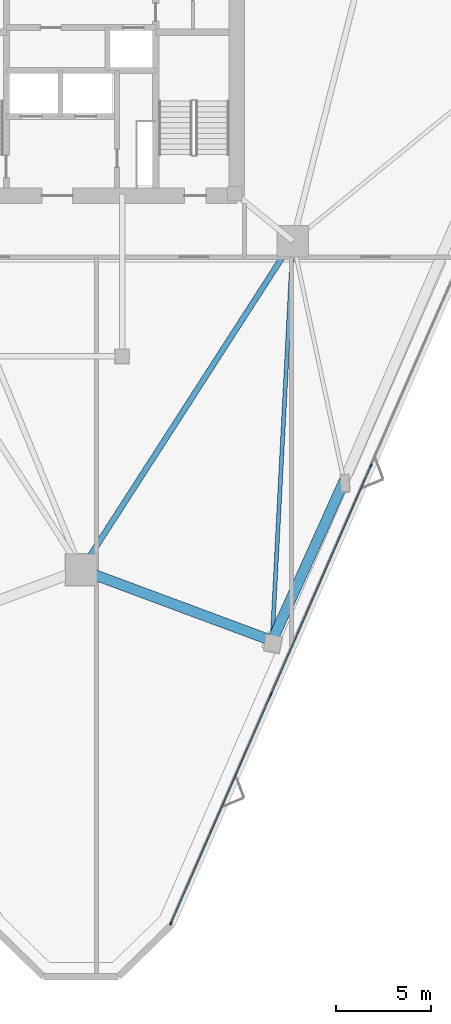
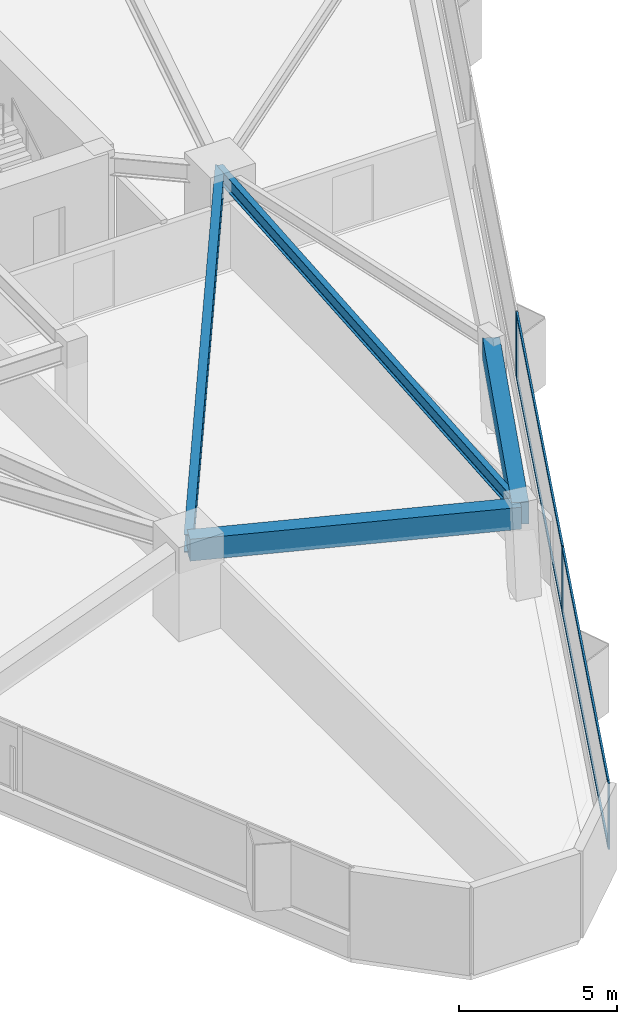
# One storey, part 4 of 18: 7 members, 4 beams, 1 element without a shape of its own.
"""IFC4 building model written with IfcOpenShell, lengths in metres."""

from ifc_helpers import new_model, si_unit, direction, frame, origin, origin_2d, place, context, subcontext, project, spatial, rectangle, i_section, extrude, material, layer, layer_set, material_profile, profile_set, type_object, element, aggregate, save


model = new_model("IFC4")

# Units and contexts
model_context = context("Model", 3, precision=1e-05, world=origin(), true_north=direction((0.0, 1.0)))
body_context = subcontext(model_context, "Body", "Model", "MODEL_VIEW")
ifc_project = project(units=[si_unit("LENGTHUNIT", "METRE"), si_unit("AREAUNIT", "SQUARE_METRE"), si_unit("VOLUMEUNIT", "CUBIC_METRE"), si_unit("PLANEANGLEUNIT", "RADIAN"), si_unit("MASSUNIT", "GRAM", prefix="KILO")], contexts=[model_context])

# Site, building, storey
site_placement = place(None, origin())
site = spatial("IfcSite", under=ifc_project, at=site_placement, CompositionType="ELEMENT")
building_placement = place(site_placement, origin())
building = spatial("IfcBuilding", under=site, at=building_placement, Name="Talyreon Biosciences Tower", CompositionType="ELEMENT")
storey_placement = place(building_placement, frame((0.0, 0.0, 89.60009765625)))
storey = spatial("IfcBuildingStorey", under=building, at=storey_placement, Name="L23", CompositionType="ELEMENT", Elevation=89.60009765625)

# Curtain wall, members
ifc_material_1 = material(Name="Thermally broken aluminium and low-E glazing", Category="aluminium")
ifc_layer = layer(ifc_material_1, 0.18994140625)
ifc_layer_set = layer_set([ifc_layer], Name="Thermally broken aluminium and low-E glazing")
curtain_wall_type = type_object("IfcCurtainWallType", Name="CurtainWall_Zone2Genomics", PredefinedType="NOTDEFINED", material=ifc_layer_set)
curtain_wall_placement = place(storey_placement, origin())
curtain_wall = element("IfcCurtainWall", 1, at=curtain_wall_placement, inside=storey, type_object=curtain_wall_type, Name="L23 Unitised Curtain Wall FCW-L23-08", PredefinedType="NOTDEFINED")
ifc_material_2 = material(Name="Anodised thermally broken aluminium", Category="aluminium")
ifc_material_profile_1 = material_profile(ifc_material_2, rectangle(XDim=0.06494140625, YDim=0.179931640625, at=origin_2d()), Name="ALUM MULLION 65x180")
ifc_profile_set_1 = profile_set([ifc_material_profile_1], Name="Anodised thermally broken aluminium")
member_type_1 = type_object("IfcMemberType", Name="CWMullion_65x180", PredefinedType="MULLION", material=ifc_profile_set_1)
member_1_placement = place(storey_placement, frame((81.178955078125, 47.115234375, 0.809814453125), z_axis=(0.0, 0.0, 1.0), x_axis=(0.916278218967, -0.400542414041, 0.0)))
member_1 = element("IfcMember", 2, at=member_1_placement, type_object=member_type_1, Name="CW3 mullion 4", PredefinedType="MULLION", context=body_context, shape_type="SweptSolid", body=[
    extrude(rectangle(XDim=0.06494140625, YDim=0.179931640625, at=origin_2d()), origin(), (0.0, 0.0, 1.0), 2.565185546875),
])
member_2_placement = place(storey_placement, frame((75.93505859375, 35.119384765625, 0.809814453125), z_axis=(0.0, 0.0, 1.0), x_axis=(0.916278218967, -0.400542414041, 0.0)))
member_2 = element("IfcMember", 3, at=member_2_placement, type_object=member_type_1, Name="CW3 mullion 5", PredefinedType="MULLION", context=body_context, shape_type="SweptSolid", body=[
    extrude(rectangle(XDim=0.06494140625, YDim=0.179931640625, at=origin_2d()), origin(), (0.0, 0.0, 1.0), 2.565185546875),
])
member_3_placement = place(storey_placement, frame((70.704345703125, 23.1533203125, 0.809814453125), z_axis=(0.0, 0.0, 1.0), x_axis=(0.916278218967, -0.400542414041, 0.0)))
member_3 = element("IfcMember", 4, at=member_3_placement, type_object=member_type_1, Name="CW3 mullion 6", PredefinedType="MULLION", context=body_context, shape_type="SweptSolid", body=[
    extrude(rectangle(XDim=0.06494140625, YDim=0.179931640625, at=origin_2d()), origin(), (0.0, 0.0, 1.0), 2.565185546875),
])
ifc_material_profile_2 = material_profile(ifc_material_2, rectangle(XDim=0.06494140625, YDim=0.139892578125, at=origin_2d()), Name="ALUM TRANSOM 65x140")
ifc_profile_set_2 = profile_set([ifc_material_profile_2], Name="Anodised thermally broken aluminium")
member_type_2 = type_object("IfcMemberType", Name="CWTransom_65x140", PredefinedType="USERDEFINED", material=ifc_profile_set_2)
member_4_placement = place(storey_placement, frame((81.166015625, 47.08544921875, 0.84228515625), z_axis=(-0.400538617789, -0.916279878454, 0.0), x_axis=(0.916279878454, -0.400538617789, 0.0)))
member_4 = element("IfcMember", 5, at=member_4_placement, type_object=member_type_2, Name="CW3 transom 4.1", ObjectType="TRANSOM", PredefinedType="USERDEFINED", context=body_context, shape_type="SweptSolid", body=[
    extrude(rectangle(XDim=0.06494140625, YDim=0.139892578125, at=origin_2d()), origin(), (0.0, 0.0, 1.0), 13.02685546875),
])
member_5_placement = place(storey_placement, frame((81.166015625, 47.08544921875, 3.34228515625), z_axis=(-0.400538617789, -0.916279878454, 0.0), x_axis=(0.916279878454, -0.400538617789, 0.0)))
member_5 = element("IfcMember", 6, at=member_5_placement, type_object=member_type_2, Name="CW3 transom 4.2", ObjectType="TRANSOM", PredefinedType="USERDEFINED", context=body_context, shape_type="SweptSolid", body=[
    extrude(rectangle(XDim=0.06494140625, YDim=0.139892578125, at=origin_2d()), origin(), (0.0, 0.0, 1.0), 13.02685546875),
])
member_6_placement = place(storey_placement, frame((75.922119140625, 35.089599609375, 0.84228515625), z_axis=(-0.400543831876, -0.916277599173, 0.0), x_axis=(0.916277599173, -0.400543831876, 0.0)))
member_6 = element("IfcMember", 7, at=member_6_placement, type_object=member_type_2, Name="CW3 transom 5.1", ObjectType="TRANSOM", PredefinedType="USERDEFINED", context=body_context, shape_type="SweptSolid", body=[
    extrude(rectangle(XDim=0.06494140625, YDim=0.139892578125, at=origin_2d()), origin(), (0.0, 0.0, 1.0), 12.994384765625),
])
member_7_placement = place(storey_placement, frame((75.922119140625, 35.089599609375, 3.34228515625), z_axis=(-0.400543831876, -0.916277599173, 0.0), x_axis=(0.916277599173, -0.400543831876, 0.0)))
member_7 = element("IfcMember", 8, at=member_7_placement, type_object=member_type_2, Name="CW3 transom 5.2", ObjectType="TRANSOM", PredefinedType="USERDEFINED", context=body_context, shape_type="SweptSolid", body=[
    extrude(rectangle(XDim=0.06494140625, YDim=0.139892578125, at=origin_2d()), origin(), (0.0, 0.0, 1.0), 12.994384765625),
])
aggregate(curtain_wall, [member_1, member_2, member_3, member_4, member_5, member_6, member_7])

# Beams
ifc_material_3 = material(Name="Precast concrete C45/55", Category="concrete")
ifc_material_profile_3 = material_profile(ifc_material_3, rectangle(XDim=0.550048828125, YDim=0.85009765625, at=origin_2d()), Name="RCB 550x850")
ifc_profile_set_3 = profile_set([ifc_material_profile_3], Name="Precast concrete C45/55")
beam_type_1 = type_object("IfcBeamType", Name="ExpressedSpandrel_550x850", PredefinedType="SPANDREL", material=ifc_profile_set_3)
beam_1_placement = place(storey_placement, frame((66.0, 41.6669921875, 2.949951171875), z_axis=(0.93729016538, -0.348550062232, 0.0), x_axis=(0.348550062232, 0.93729016538, 0.0)))
element("IfcBeam", 9, at=beam_1_placement, inside=storey, type_object=beam_type_1, Name="L23 Expressed Horizontal Concrete Spandrel 01", PredefinedType="SPANDREL", context=body_context, shape_type="SweptSolid", body=[
    extrude(rectangle(XDim=0.550048828125, YDim=0.85009765625, at=origin_2d()), origin(), (0.0, 0.0, 1.0), 10.672607421875),
])
beam_2_placement = place(storey_placement, frame((76.00341796875, 37.947021484375, 2.949951171875), z_axis=(0.4105208452, 0.911851213552, 0.0), x_axis=(-0.911851213552, 0.4105208452, 0.0)))
element("IfcBeam", 10, at=beam_2_placement, inside=storey, type_object=beam_type_1, Name="L23 Expressed Horizontal Concrete Spandrel 02", PredefinedType="SPANDREL", context=body_context, shape_type="SweptSolid", body=[
    extrude(rectangle(XDim=0.550048828125, YDim=0.85009765625, at=origin_2d()), origin(), (0.0, 0.0, 1.0), 9.1650390625),
])
ifc_material_4 = material(Name="Steel SM355", Category="steel")
ifc_material_profile_4 = material_profile(ifc_material_4, i_section(OverallWidth=0.300048828125, OverallDepth=0.699951171875, WebThickness=0.01708984375, FlangeThickness=0.031982421875, FilletRadius=0.027099609375, at=origin_2d()), Name="HE700B")
ifc_profile_set_4 = profile_set([ifc_material_profile_4], Name="Steel SM355")
beam_type_2 = type_object("IfcBeamType", Name="SteelGirder_HE700B", PredefinedType="BEAM", material=ifc_profile_set_4)
beam_3_placement = place(storey_placement, frame((66.0, 41.6669921875, 3.02490234375), z_axis=(0.541463723609, 0.840724114092, 0.0), x_axis=(-0.840724114092, 0.541463723609, 0.0)))
element("IfcBeam", 11, at=beam_3_placement, inside=storey, type_object=beam_type_2, Name="L23 Mega-Ring Girder 1", PredefinedType="BEAM", context=body_context, shape_type="SweptSolid", body=[
    extrude(i_section(OverallWidth=0.300048828125, OverallDepth=0.699951171875, WebThickness=0.01708984375, FlangeThickness=0.031982421875, FilletRadius=0.027099609375, at=origin_2d()), origin(), (0.0, 0.0, 1.0), 20.474365234375),
])
ifc_material_profile_5 = material_profile(ifc_material_4, i_section(OverallWidth=0.2099609375, OverallDepth=0.550048828125, WebThickness=0.010986328125, FlangeThickness=0.01708984375, FilletRadius=0.02392578125, at=origin_2d()), Name="IPE550")
ifc_profile_set_5 = profile_set([ifc_material_profile_5], Name="Steel SM355")
beam_type_3 = type_object("IfcBeamType", Name="SteelJoist_IPE550", PredefinedType="JOIST", material=ifc_profile_set_5)
beam_4_placement = place(storey_placement, frame((77.086181640625, 58.88037109375, 3.099853515625), z_axis=(-0.051655285706, -0.998664974583, 0.0), x_axis=(0.998664974583, -0.051655285706, 0.0)))
element("IfcBeam", 12, at=beam_4_placement, inside=storey, type_object=beam_type_3, Name="L23 Radial Composite Floor Joist PC-SE1", PredefinedType="JOIST", context=body_context, shape_type="SweptSolid", body=[
    extrude(i_section(OverallWidth=0.2099609375, OverallDepth=0.550048828125, WebThickness=0.010986328125, FlangeThickness=0.01708984375, FilletRadius=0.02392578125, at=origin_2d()), origin(), (0.0, 0.0, 1.0), 20.96142578125),
])

save(model, "model.ifc")
